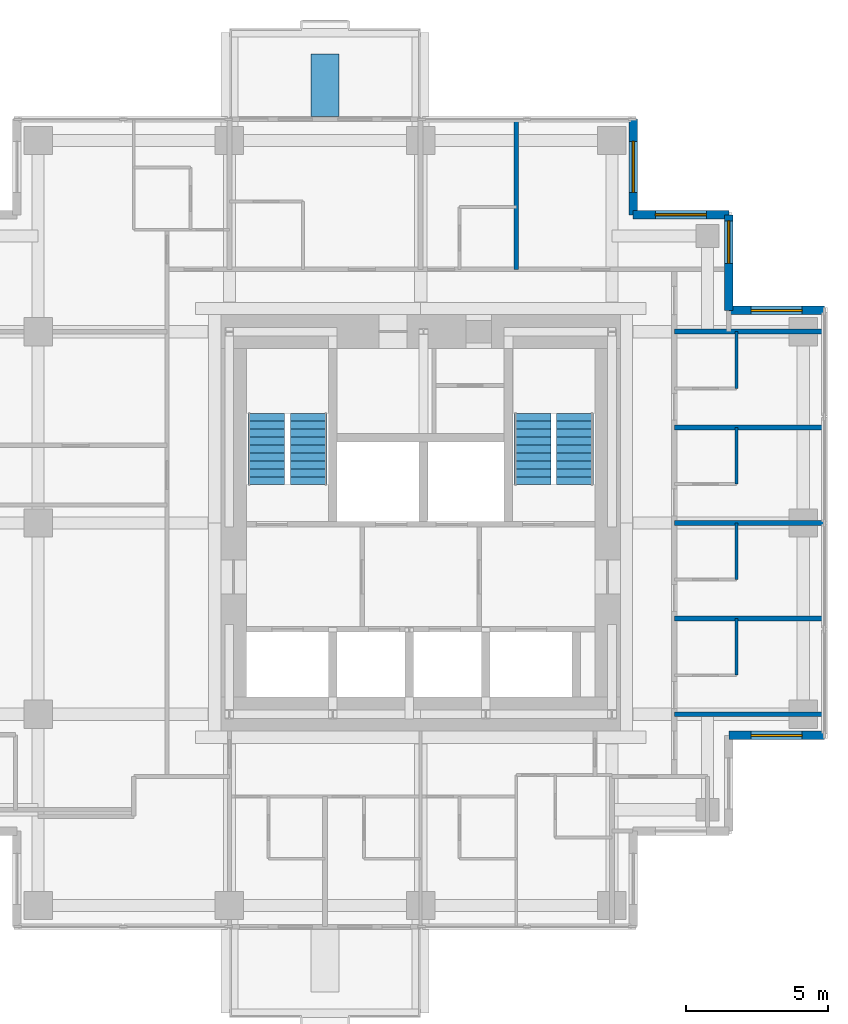
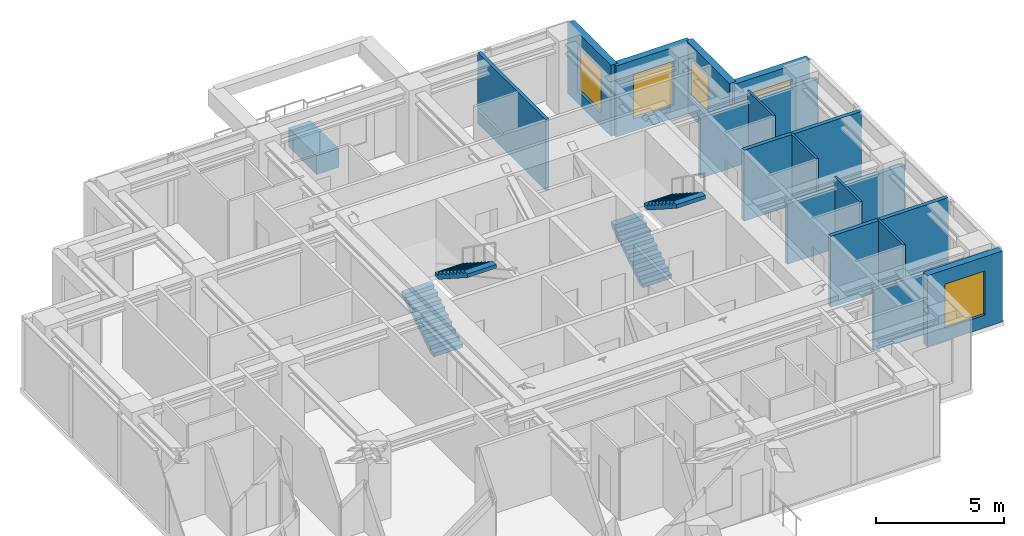
# One storey, part 7 of 8: 16 walls, 5 windows, 4 stair flights, 5 openings, 2 elements without a shape of their own.
"""IFC4 building model written with IfcOpenShell, lengths in metres."""

from ifc_helpers import new_model, si_unit, direction, frame, frame_2d, origin, place, context, subcontext, project, spatial, polyline, rectangle, outline, extrude, material, layer, layer_set, type_object, element, fill, aggregate, save


model = new_model("IFC4")

# Units and contexts
model_context = context("Model", 3, precision=1e-05, world=origin(), true_north=direction((0.0, 1.0)))
body_context = subcontext(model_context, "Body", "Model", "MODEL_VIEW")
ifc_project = project(units=[si_unit("LENGTHUNIT", "METRE"), si_unit("AREAUNIT", "SQUARE_METRE"), si_unit("VOLUMEUNIT", "CUBIC_METRE"), si_unit("PLANEANGLEUNIT", "RADIAN"), si_unit("MASSUNIT", "GRAM", prefix="KILO")], contexts=[model_context])

# Site, building, storey
site_placement = place(None, origin())
site = spatial("IfcSite", under=ifc_project, at=site_placement, CompositionType="ELEMENT")
building_placement = place(site_placement, origin())
building = spatial("IfcBuilding", under=site, at=building_placement, Name="Nyansa Garden Tower", CompositionType="ELEMENT")
storey_placement = place(building_placement, frame((0.0, 0.0, 247.5)))
storey = spatial("IfcBuildingStorey", under=building, at=storey_placement, Name="L67", CompositionType="ELEMENT", Elevation=247.5)

# Walls
ifc_material_1 = material(Name="Dense blockwork, plastered both sides, 55 dB", Category="masonry")
ifc_layer_1 = layer(ifc_material_1, 0.175048828125)
ifc_layer_set_1 = layer_set([ifc_layer_1], Name="Acoustic party wall PW175")
wall_type_1 = type_object("IfcWallType", Name="Acoustic party wall PW175", PredefinedType="PARTITIONING", material=ifc_layer_set_1)
wall_1_placement = place(storey_placement, frame((29.199951171875, 16.875, 0.0), z_axis=(0.0, 0.0, 1.0), x_axis=(1.0, 0.0, 0.0)))
element("IfcWall", 1, at=wall_1_placement, inside=storey, type_object=wall_type_1, Name="Party wall", PredefinedType="PARTITIONING", context=body_context, shape_type="SweptSolid", body=[
    extrude(rectangle(XDim=5.283935546875, YDim=0.175048828125, at=frame_2d((2.64208984375, 0.0))), origin(), (0.0, 0.0, 1.0), 3.375),
])
wall_2_placement = place(storey_placement, frame((29.199951171875, 20.25, 0.0), z_axis=(0.0, 0.0, 1.0), x_axis=(1.0, 0.0, 0.0)))
element("IfcWall", 2, at=wall_2_placement, inside=storey, type_object=wall_type_1, Name="Party wall", PredefinedType="PARTITIONING", context=body_context, shape_type="SweptSolid", body=[
    extrude(rectangle(XDim=5.283935546875, YDim=0.175048828125, at=frame_2d((2.64208984375, 0.0))), origin(), (0.0, 0.0, 1.0), 2.876953125),
])
wall_3_placement = place(storey_placement, frame((29.199951171875, 23.625, 0.0), z_axis=(0.0, 0.0, 1.0), x_axis=(1.0, 0.0, 0.0)))
element("IfcWall", 3, at=wall_3_placement, inside=storey, type_object=wall_type_1, Name="Party wall", PredefinedType="PARTITIONING", context=body_context, shape_type="SweptSolid", body=[
    extrude(rectangle(XDim=5.283935546875, YDim=0.175048828125, at=frame_2d((2.64208984375, 0.0))), origin(), (0.0, 0.0, 1.0), 3.375),
])
wall_4_placement = place(storey_placement, frame((29.199951171875, 27.0, 0.0), z_axis=(0.0, 0.0, 1.0), x_axis=(1.0, 0.0, 0.0)))
element("IfcWall", 4, at=wall_4_placement, inside=storey, type_object=wall_type_1, Name="Party wall", PredefinedType="PARTITIONING", context=body_context, shape_type="SweptSolid", body=[
    extrude(rectangle(XDim=5.283935546875, YDim=0.175048828125, at=frame_2d((2.64208984375, 0.0))), origin(), (0.0, 0.0, 1.0), 2.876953125),
])
ifc_material_2 = material(Name="Blockwork, plastered both sides", Category="masonry")
ifc_layer_2 = layer(ifc_material_2, 0.14990234375)
ifc_layer_set_2 = layer_set([ifc_layer_2], Name="Partition PW150")
wall_type_2 = type_object("IfcWallType", Name="Partition PW150", PredefinedType="PARTITIONING", material=ifc_layer_set_2)
wall_5_placement = place(storey_placement, frame((23.625, 29.199951171875, 0.0), z_axis=(0.0, 0.0, 1.0), x_axis=(0.0, 1.0, 0.0)))
element("IfcWall", 5, at=wall_5_placement, inside=storey, type_object=wall_type_2, Name="Partition", PredefinedType="PARTITIONING", context=body_context, shape_type="SweptSolid", body=[
    extrude(rectangle(XDim=5.283935546875, YDim=0.14990234375, at=frame_2d((2.64208984375, 0.0))), origin(), (0.0, 0.0, 1.0), 3.375),
])
wall_6_placement = place(storey_placement, frame((29.199951171875, 13.5, 0.0), z_axis=(0.0, 0.0, 1.0), x_axis=(1.0, 0.0, 0.0)))
element("IfcWall", 6, at=wall_6_placement, inside=storey, type_object=wall_type_2, Name="Partition", PredefinedType="PARTITIONING", context=body_context, shape_type="SweptSolid", body=[
    extrude(rectangle(XDim=5.283935546875, YDim=0.14990234375, at=frame_2d((2.64208984375, 0.0))), origin(), (0.0, 0.0, 1.0), 2.876953125),
])

# Wall, opening, window
ifc_material_3 = material(Name="Turquoise glazed tile on concrete blockwork", Category="masonry")
ifc_layer_3 = layer(ifc_material_3, 0.300048828125)
ifc_layer_set_3 = layer_set([ifc_layer_3], Name="Tiled corner wall TW300")
wall_type_3 = type_object("IfcWallType", Name="Tiled corner wall TW300", PredefinedType="SOLIDWALL", material=ifc_layer_set_3)
wall_7_placement = place(storey_placement, frame((34.5, 27.75, 0.0), z_axis=(0.0, 0.0, 1.0), x_axis=(-1.0, 0.0, 0.0)))
wall_7 = element("IfcWall", 7, at=wall_7_placement, inside=storey, type_object=wall_type_3, Name="Tiled corner wall L67", PredefinedType="SOLIDWALL", context=body_context, shape_type="SweptSolid", body=[
    extrude(rectangle(XDim=3.375, YDim=0.300048828125, at=frame_2d((1.6875, 0.0))), origin(), (0.0, 0.0, 1.0), 3.375),
])
opening_1_placement = place(wall_7_placement, frame((0.78759765625, 0.0, 0.60009765625)))
opening_1 = element("IfcOpeningElement", 8, at=opening_1_placement, cuts=wall_7, Name="Opening W2", PredefinedType="OPENING", context=body_context, shape_type="SweptSolid", body=[
    extrude(rectangle(XDim=1.800048828125, YDim=2.10009765625, at=frame_2d((0.89990234375, 1.050048828125))), frame((0.0, 0.159912109375, 0.0), z_axis=(0.0, -1.0, 0.0), x_axis=(1.0, 0.0, 0.0)), (0.0, 0.0, 1.0), 0.320068359375),
])
ifc_material_4 = material(Name="Black aluminium frame, dark tinted double glazing", Category="aluminium")
window_type_1 = type_object("IfcWindowType", Name="Window W2 1800x2100", PartitioningType="SINGLE_PANEL", PredefinedType="WINDOW", material=ifc_material_4)
window_1_placement = place(opening_1_placement, origin())
window_1 = element("IfcWindow", 9, at=window_1_placement, inside=storey, type_object=window_type_1, Name="Corner window L67", OverallHeight=2.10009765625, OverallWidth=1.800048828125, PartitioningType="SINGLE_PANEL", PredefinedType="WINDOW", context=body_context, shape_type="SweptSolid", body=[
    extrude(rectangle(XDim=1.800048828125, YDim=2.10009765625, at=frame_2d((0.89990234375, 1.050048828125))), frame((0.0, 0.030029296875, 0.0), z_axis=(0.0, -1.0, 0.0), x_axis=(1.0, 0.0, 0.0)), (0.0, 0.0, 1.0), 0.06005859375),
])
fill(opening_1, window_1)

wall_8_placement = place(storey_placement, frame((31.125, 27.75, 0.0), z_axis=(0.0, 0.0, 1.0), x_axis=(0.0, 1.0, 0.0)))
wall_8 = element("IfcWall", 10, at=wall_8_placement, inside=storey, type_object=wall_type_3, Name="Tiled corner wall L67", PredefinedType="SOLIDWALL", context=body_context, shape_type="SweptSolid", body=[
    extrude(rectangle(XDim=3.375, YDim=0.300048828125, at=frame_2d((1.6875, 0.0))), origin(), (0.0, 0.0, 1.0), 3.375),
])
opening_2_placement = place(wall_8_placement, frame((1.66259765625, 0.0, 0.89990234375)))
opening_2 = element("IfcOpeningElement", 11, at=opening_2_placement, cuts=wall_8, Name="Opening W1", PredefinedType="OPENING", context=body_context, shape_type="SweptSolid", body=[
    extrude(rectangle(XDim=1.5, YDim=1.800048828125, at=frame_2d((0.75, 0.89990234375))), frame((0.0, 0.159912109375, 0.0), z_axis=(0.0, -1.0, 0.0), x_axis=(1.0, 0.0, 0.0)), (0.0, 0.0, 1.0), 0.320068359375),
])
ifc_material_5 = material(Name="Black aluminium frame, dark tinted double glazing", Category="aluminium")
window_type_2 = type_object("IfcWindowType", Name="Window W1 1500x1800", PartitioningType="SINGLE_PANEL", PredefinedType="WINDOW", material=ifc_material_5)
window_2_placement = place(opening_2_placement, origin())
window_2 = element("IfcWindow", 12, at=window_2_placement, inside=storey, type_object=window_type_2, Name="Corner window L67", OverallHeight=1.800048828125, OverallWidth=1.5, PartitioningType="SINGLE_PANEL", PredefinedType="WINDOW", context=body_context, shape_type="SweptSolid", body=[
    extrude(rectangle(XDim=1.5, YDim=1.800048828125, at=frame_2d((0.75, 0.89990234375))), frame((0.0, 0.030029296875, 0.0), z_axis=(0.0, -1.0, 0.0), x_axis=(1.0, 0.0, 0.0)), (0.0, 0.0, 1.0), 0.06005859375),
])
fill(opening_2, window_2)

wall_9_placement = place(storey_placement, frame((31.125, 31.125, 0.0), z_axis=(0.0, 0.0, 1.0), x_axis=(-1.0, 0.0, 0.0)))
wall_9 = element("IfcWall", 13, at=wall_9_placement, inside=storey, type_object=wall_type_3, Name="Tiled corner wall L67", PredefinedType="SOLIDWALL", context=body_context, shape_type="SweptSolid", body=[
    extrude(rectangle(XDim=3.375, YDim=0.300048828125, at=frame_2d((1.6875, 0.0))), origin(), (0.0, 0.0, 1.0), 3.375),
])
opening_3_placement = place(wall_9_placement, frame((0.78759765625, 0.0, 0.60009765625)))
opening_3 = element("IfcOpeningElement", 14, at=opening_3_placement, cuts=wall_9, Name="Opening W2", PredefinedType="OPENING", context=body_context, shape_type="SweptSolid", body=[
    extrude(rectangle(XDim=1.800048828125, YDim=2.10009765625, at=frame_2d((0.89990234375, 1.050048828125))), frame((0.0, 0.159912109375, 0.0), z_axis=(0.0, -1.0, 0.0), x_axis=(1.0, 0.0, 0.0)), (0.0, 0.0, 1.0), 0.320068359375),
])
window_3_placement = place(opening_3_placement, origin())
window_3 = element("IfcWindow", 15, at=window_3_placement, inside=storey, type_object=window_type_1, Name="Corner window L67", OverallHeight=2.10009765625, OverallWidth=1.800048828125, PartitioningType="SINGLE_PANEL", PredefinedType="WINDOW", context=body_context, shape_type="SweptSolid", body=[
    extrude(rectangle(XDim=1.800048828125, YDim=2.10009765625, at=frame_2d((0.89990234375, 1.050048828125))), frame((0.0, 0.030029296875, 0.0), z_axis=(0.0, -1.0, 0.0), x_axis=(1.0, 0.0, 0.0)), (0.0, 0.0, 1.0), 0.06005859375),
])
fill(opening_3, window_3)

wall_10_placement = place(storey_placement, frame((27.75, 31.125, 0.0), z_axis=(0.0, 0.0, 1.0), x_axis=(0.0, 1.0, 0.0)))
wall_10 = element("IfcWall", 16, at=wall_10_placement, inside=storey, type_object=wall_type_3, Name="Tiled corner wall L67", PredefinedType="SOLIDWALL", context=body_context, shape_type="SweptSolid", body=[
    extrude(rectangle(XDim=3.375, YDim=0.300048828125, at=frame_2d((1.6875, 0.0))), origin(), (0.0, 0.0, 1.0), 3.375),
])
opening_4_placement = place(wall_10_placement, frame((0.78759765625, 0.0, 0.60009765625)))
opening_4 = element("IfcOpeningElement", 17, at=opening_4_placement, cuts=wall_10, Name="Opening W2", PredefinedType="OPENING", context=body_context, shape_type="SweptSolid", body=[
    extrude(rectangle(XDim=1.800048828125, YDim=2.10009765625, at=frame_2d((0.89990234375, 1.050048828125))), frame((0.0, 0.159912109375, 0.0), z_axis=(0.0, -1.0, 0.0), x_axis=(1.0, 0.0, 0.0)), (0.0, 0.0, 1.0), 0.320068359375),
])
window_4_placement = place(opening_4_placement, origin())
window_4 = element("IfcWindow", 18, at=window_4_placement, inside=storey, type_object=window_type_1, Name="Corner window L67", OverallHeight=2.10009765625, OverallWidth=1.800048828125, PartitioningType="SINGLE_PANEL", PredefinedType="WINDOW", context=body_context, shape_type="SweptSolid", body=[
    extrude(rectangle(XDim=1.800048828125, YDim=2.10009765625, at=frame_2d((0.89990234375, 1.050048828125))), frame((0.0, 0.030029296875, 0.0), z_axis=(0.0, -1.0, 0.0), x_axis=(1.0, 0.0, 0.0)), (0.0, 0.0, 1.0), 0.06005859375),
])
fill(opening_4, window_4)

wall_11_placement = place(storey_placement, frame((31.125, 12.75, 0.0), z_axis=(0.0, 0.0, 1.0), x_axis=(1.0, 0.0, 0.0)))
wall_11 = element("IfcWall", 19, at=wall_11_placement, inside=storey, type_object=wall_type_3, Name="Tiled corner wall L67", PredefinedType="SOLIDWALL", context=body_context, shape_type="SweptSolid", body=[
    extrude(rectangle(XDim=3.375, YDim=0.300048828125, at=frame_2d((1.6875, 0.0))), origin(), (0.0, 0.0, 1.0), 3.375),
])
opening_5_placement = place(wall_11_placement, frame((0.78759765625, 0.0, 0.60009765625)))
opening_5 = element("IfcOpeningElement", 20, at=opening_5_placement, cuts=wall_11, Name="Opening W2", PredefinedType="OPENING", context=body_context, shape_type="SweptSolid", body=[
    extrude(rectangle(XDim=1.800048828125, YDim=2.10009765625, at=frame_2d((0.89990234375, 1.050048828125))), frame((0.0, 0.159912109375, 0.0), z_axis=(0.0, -1.0, 0.0), x_axis=(1.0, 0.0, 0.0)), (0.0, 0.0, 1.0), 0.320068359375),
])
window_5_placement = place(opening_5_placement, origin())
window_5 = element("IfcWindow", 21, at=window_5_placement, inside=storey, type_object=window_type_1, Name="Corner window L67", OverallHeight=2.10009765625, OverallWidth=1.800048828125, PartitioningType="SINGLE_PANEL", PredefinedType="WINDOW", context=body_context, shape_type="SweptSolid", body=[
    extrude(rectangle(XDim=1.800048828125, YDim=2.10009765625, at=frame_2d((0.89990234375, 1.050048828125))), frame((0.0, 0.030029296875, 0.0), z_axis=(0.0, -1.0, 0.0), x_axis=(1.0, 0.0, 0.0)), (0.0, 0.0, 1.0), 0.06005859375),
])
fill(opening_5, window_5)

# Walls
ifc_material_6 = material(Name="Concrete C40/50 planter, waterproofed", Category="concrete")
ifc_layer_4 = layer(ifc_material_6, 1.0)
ifc_layer_set_4 = layer_set([ifc_layer_4], Name="Tree planter TP1")
wall_type_4 = type_object("IfcWallType", Name="Tree planter TP1", PredefinedType="USERDEFINED", material=ifc_layer_set_4)
wall_12_placement = place(storey_placement, frame((16.875, 34.60009765625, 0.0), z_axis=(0.0, 0.0, 1.0), x_axis=(0.0, 1.0, 0.0)))
element("IfcWall", 22, at=wall_12_placement, inside=storey, type_object=wall_type_4, Name="Tree planter L67", ObjectType="TREE PLANTER", PredefinedType="USERDEFINED", context=body_context, shape_type="SweptSolid", body=[
    extrude(rectangle(XDim=2.199951171875, YDim=1.0, at=frame_2d((1.10009765625, 0.0))), origin(), (0.0, 0.0, 1.0), 0.89990234375),
])
ifc_material_7 = material(Name="Moisture resistant board on steel studs, tiled", Category="steel")
ifc_layer_5 = layer(ifc_material_7, 0.10009765625)
ifc_layer_set_5 = layer_set([ifc_layer_5], Name="Wet wall PW100")
wall_type_5 = type_object("IfcWallType", Name="Wet wall PW100", PredefinedType="PARTITIONING", material=ifc_layer_set_5)
for number, where, z_axis, x_axis, name in (
    (23, (31.39990234375, 14.875, 0.0), (0.0, 0.0, 1.0), (0.0, 1.0, 0.0), "Wet wall"),
    (24, (31.39990234375, 18.25, 0.0), (0.0, 0.0, 1.0), (0.0, 1.0, 0.0), "Wet wall"),
    (25, (31.39990234375, 21.625, 0.0), (0.0, 0.0, 1.0), (0.0, 1.0, 0.0), "Wet wall"),
    (26, (31.39990234375, 25.0, 0.0), (0.0, 0.0, 1.0), (0.0, 1.0, 0.0), "Wet wall"),
):
    element("IfcWall", number, at=place(storey_placement, frame(where, z_axis=z_axis, x_axis=x_axis)), inside=storey, type_object=wall_type_5, Name=name, PredefinedType="PARTITIONING", context=body_context, shape_type="SweptSolid", body=[
        extrude(rectangle(XDim=2.0, YDim=0.10009765625, at=frame_2d((1.0, 0.0))), origin(), (0.0, 0.0, 1.0), 3.375),
    ])

# Stair, stair flights
ifc_material_8 = material(Name="Precast concrete C40/50", Category="concrete")
stair_type_1 = type_object("IfcStairType", Name="Stair S1 180x280", PredefinedType="HALF_TURN_STAIR", material=ifc_material_8)
stair_1_placement = place(storey_placement, origin())
stair_1 = element("IfcStair", 27, at=stair_1_placement, inside=storey, type_object=stair_type_1, Name="Stair S1 L67", PredefinedType="HALF_TURN_STAIR")
ifc_material_9 = material(Name="Precast concrete C40/50", Category="concrete")
stair_flight_type_1 = type_object("IfcStairFlightType", Name="Stair flight S1 180x280x10", PredefinedType="STRAIGHT", material=ifc_material_9)
stair_flight_1_placement = place(storey_placement, frame((14.800048828125, 21.60009765625, 0.0), z_axis=(0.0, 0.0, 1.0), x_axis=(0.0, 1.0, 0.0)))
stair_flight_1 = element("IfcStairFlight", 28, at=stair_flight_1_placement, type_object=stair_flight_type_1, Name="S1 flight 1", NumberOfRisers=10, NumberOfTreads=9, PredefinedType="STRAIGHT", RiserHeight=0.18, TreadLength=0.28, context=body_context, shape_type="SweptSolid", body=[
    extrude(outline(polyline([(0.0, 0.0), (0.0, 0.179931640625), (0.280029296875, 0.179931640625), (0.280029296875, 0.360107421875), (0.56005859375, 0.360107421875), (0.56005859375, 0.5400390625), (0.840087890625, 0.5400390625), (0.840087890625, 0.719970703125), (1.1201171875, 0.719970703125), (1.1201171875, 0.89990234375), (1.39990234375, 0.89990234375), (1.39990234375, 1.080078125), (1.679931640625, 1.080078125), (1.679931640625, 1.260009765625), (1.9599609375, 1.260009765625), (1.9599609375, 1.43994140625), (2.239990234375, 1.43994140625), (2.239990234375, 1.6201171875), (2.52001953125, 1.6201171875), (2.52001953125, 1.800048828125), (2.52001953125, 1.44189453125), (0.277099609375, 0.0), (0.0, 0.0)])), frame((0.0, 0.64990234375, 0.0), z_axis=(0.0, -1.0, 0.0), x_axis=(1.0, 0.0, 0.0)), (0.0, 0.0, 1.0), 1.300048828125),
])
stair_flight_2_placement = place(storey_placement, frame((16.300048828125, 24.1201171875, 1.800048828125), z_axis=(0.0, 0.0, 1.0), x_axis=(0.0, -1.0, 0.0)))
stair_flight_2 = element("IfcStairFlight", 29, at=stair_flight_2_placement, type_object=stair_flight_type_1, Name="S1 flight 2", NumberOfRisers=10, NumberOfTreads=9, PredefinedType="STRAIGHT", RiserHeight=0.18, TreadLength=0.28, context=body_context, shape_type="SweptSolid", body=[
    extrude(outline(polyline([(0.0, 0.0), (0.0, 0.179931640625), (0.280029296875, 0.179931640625), (0.280029296875, 0.360107421875), (0.56005859375, 0.360107421875), (0.56005859375, 0.5400390625), (0.840087890625, 0.5400390625), (0.840087890625, 0.719970703125), (1.1201171875, 0.719970703125), (1.1201171875, 0.89990234375), (1.39990234375, 0.89990234375), (1.39990234375, 1.080078125), (1.679931640625, 1.080078125), (1.679931640625, 1.260009765625), (1.9599609375, 1.260009765625), (1.9599609375, 1.43994140625), (2.239990234375, 1.43994140625), (2.239990234375, 1.6201171875), (2.52001953125, 1.6201171875), (2.52001953125, 1.800048828125), (2.52001953125, 1.44189453125), (0.277099609375, 0.0), (0.0, 0.0)])), frame((0.0, 0.64990234375, 0.0), z_axis=(0.0, -1.0, 0.0), x_axis=(1.0, 0.0, 0.0)), (0.0, 0.0, 1.0), 1.300048828125),
])
aggregate(stair_1, [stair_flight_1, stair_flight_2])

ifc_material_10 = material(Name="Precast concrete C40/50", Category="concrete")
stair_type_2 = type_object("IfcStairType", Name="Stair S2 180x280", PredefinedType="HALF_TURN_STAIR", material=ifc_material_10)
stair_2_placement = place(storey_placement, origin())
stair_2 = element("IfcStair", 30, at=stair_2_placement, inside=storey, type_object=stair_type_2, Name="Stair S2 L67", PredefinedType="HALF_TURN_STAIR")
ifc_material_11 = material(Name="Precast concrete C40/50", Category="concrete")
stair_flight_type_2 = type_object("IfcStairFlightType", Name="Stair flight S2 180x280x10", PredefinedType="STRAIGHT", material=ifc_material_11)
stair_flight_3_placement = place(storey_placement, frame((24.199951171875, 21.60009765625, 0.0), z_axis=(0.0, 0.0, 1.0), x_axis=(0.0, 1.0, 0.0)))
stair_flight_3 = element("IfcStairFlight", 31, at=stair_flight_3_placement, type_object=stair_flight_type_2, Name="S2 flight 1", NumberOfRisers=10, NumberOfTreads=9, PredefinedType="STRAIGHT", RiserHeight=0.18, TreadLength=0.28, context=body_context, shape_type="SweptSolid", body=[
    extrude(outline(polyline([(0.0, 0.0), (0.0, 0.179931640625), (0.280029296875, 0.179931640625), (0.280029296875, 0.360107421875), (0.56005859375, 0.360107421875), (0.56005859375, 0.5400390625), (0.840087890625, 0.5400390625), (0.840087890625, 0.719970703125), (1.1201171875, 0.719970703125), (1.1201171875, 0.89990234375), (1.39990234375, 0.89990234375), (1.39990234375, 1.080078125), (1.679931640625, 1.080078125), (1.679931640625, 1.260009765625), (1.9599609375, 1.260009765625), (1.9599609375, 1.43994140625), (2.239990234375, 1.43994140625), (2.239990234375, 1.6201171875), (2.52001953125, 1.6201171875), (2.52001953125, 1.800048828125), (2.52001953125, 1.44189453125), (0.277099609375, 0.0), (0.0, 0.0)])), frame((0.0, 0.64990234375, 0.0), z_axis=(0.0, -1.0, 0.0), x_axis=(1.0, 0.0, 0.0)), (0.0, 0.0, 1.0), 1.300048828125),
])
stair_flight_4_placement = place(storey_placement, frame((25.699951171875, 24.1201171875, 1.800048828125), z_axis=(0.0, 0.0, 1.0), x_axis=(0.0, -1.0, 0.0)))
stair_flight_4 = element("IfcStairFlight", 32, at=stair_flight_4_placement, type_object=stair_flight_type_2, Name="S2 flight 2", NumberOfRisers=10, NumberOfTreads=9, PredefinedType="STRAIGHT", RiserHeight=0.18, TreadLength=0.28, context=body_context, shape_type="SweptSolid", body=[
    extrude(outline(polyline([(0.0, 0.0), (0.0, 0.179931640625), (0.280029296875, 0.179931640625), (0.280029296875, 0.360107421875), (0.56005859375, 0.360107421875), (0.56005859375, 0.5400390625), (0.840087890625, 0.5400390625), (0.840087890625, 0.719970703125), (1.1201171875, 0.719970703125), (1.1201171875, 0.89990234375), (1.39990234375, 0.89990234375), (1.39990234375, 1.080078125), (1.679931640625, 1.080078125), (1.679931640625, 1.260009765625), (1.9599609375, 1.260009765625), (1.9599609375, 1.43994140625), (2.239990234375, 1.43994140625), (2.239990234375, 1.6201171875), (2.52001953125, 1.6201171875), (2.52001953125, 1.800048828125), (2.52001953125, 1.44189453125), (0.277099609375, 0.0), (0.0, 0.0)])), frame((0.0, 0.64990234375, 0.0), z_axis=(0.0, -1.0, 0.0), x_axis=(1.0, 0.0, 0.0)), (0.0, 0.0, 1.0), 1.300048828125),
])
aggregate(stair_2, [stair_flight_3, stair_flight_4])

save(model, "model.ifc")
